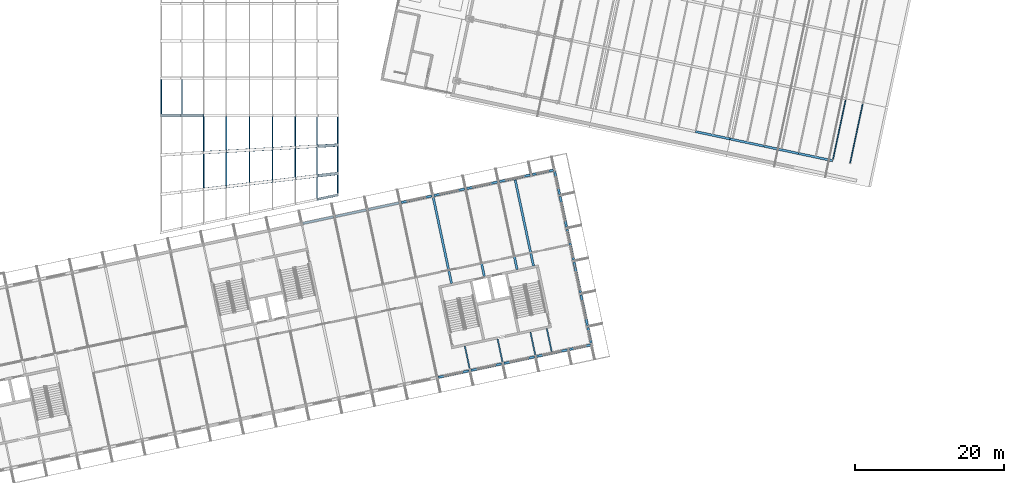
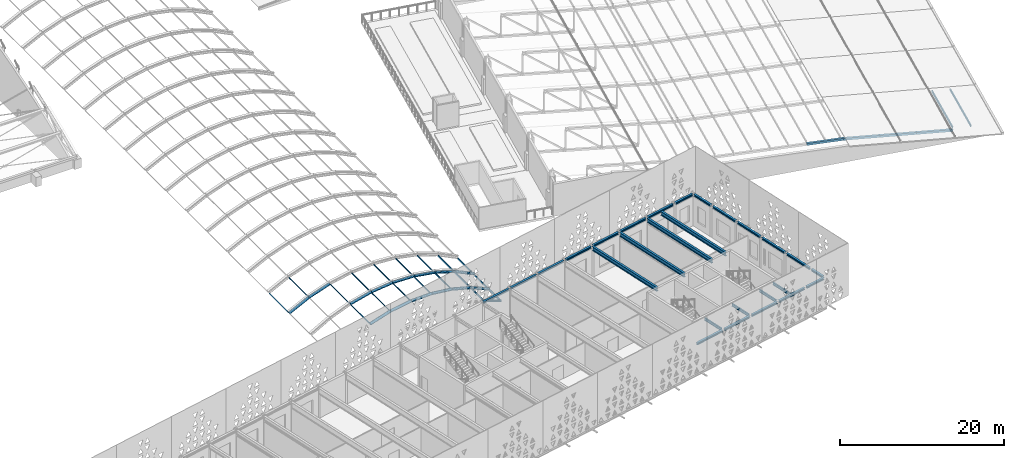
# One storey, part 42 of 196: 39 members, 27 beams.
"""IFC4 building model written with IfcOpenShell, lengths in metres."""

from ifc_helpers import new_model, si_unit, direction, frame, origin, origin_2d, place, context, subcontext, project, spatial, hollow_rectangle, hollow_circle, i_section, extrude, material, material_profile, profile_set, type_object, element, save


model = new_model("IFC4")

# Units and contexts
model_context = context("Model", 3, precision=1e-05, world=origin(), true_north=direction((0.0, 1.0)))
body_context = subcontext(model_context, "Body", "Model", "MODEL_VIEW")
ifc_project = project(units=[si_unit("LENGTHUNIT", "METRE"), si_unit("AREAUNIT", "SQUARE_METRE"), si_unit("VOLUMEUNIT", "CUBIC_METRE"), si_unit("PLANEANGLEUNIT", "RADIAN"), si_unit("MASSUNIT", "GRAM", prefix="KILO")], contexts=[model_context])

# Site, building, storey
site_placement = place(None, origin())
site = spatial("IfcSite", under=ifc_project, at=site_placement, CompositionType="ELEMENT")
building_placement = place(site_placement, origin())
building = spatial("IfcBuilding", under=site, at=building_placement, Name="Okhra Congress Centre", CompositionType="ELEMENT")
storey_placement = place(building_placement, frame((0.0, 0.0, 12.0)))
storey = spatial("IfcBuildingStorey", under=building, at=storey_placement, Name="L02", CompositionType="ELEMENT", Elevation=12.0)

# Beams
ifc_material = material(Name="Steel S355J2", Category="steel")
ifc_material_profile_1 = material_profile(ifc_material, i_section(OverallWidth=0.300048828125, OverallDepth=0.2900390625, WebThickness=0.008544921875, FlangeThickness=0.013916015625, FilletRadius=0.027099609375, at=origin_2d()), Name="HE 300 A")
ifc_profile_set_1 = profile_set([ifc_material_profile_1], Name="Steel S355J2")
beam_type_1 = type_object("IfcBeamType", Name="Edge beam HE 300 A", PredefinedType="BEAM", material=ifc_profile_set_1)
for number, where, z_axis, x_axis, name in (
    (1, (197.609375, 55.843994140625, 4.5048828125), (0.978143927149, 0.207928972925, 0.0), (-0.207928972925, 0.978143927149, 0.0), "Edge beam S32"),
    (2, (202.010986328125, 56.77978515625, 4.5048828125), (0.978155748334, 0.207873355681, 0.0), (-0.207873355681, 0.978155748334, 0.0), "Edge beam S33"),
    (3, (206.41259765625, 57.71533203125, 4.5048828125), (0.978143927149, 0.207928972925, 0.0), (-0.207928972925, 0.978143927149, 0.0), "Edge beam S34"),
):
    element("IfcBeam", number, at=place(storey_placement, frame(where, z_axis=z_axis, x_axis=x_axis)), inside=storey, type_object=beam_type_1, Name=name, PredefinedType="BEAM", context=body_context, shape_type="SweptSolid", body=[
        extrude(i_section(OverallWidth=0.300048828125, OverallDepth=0.2900390625, WebThickness=0.008544921875, FlangeThickness=0.013916015625, FilletRadius=0.027099609375, at=origin_2d()), origin(), (0.0, 0.0, 1.0), 4.199951171875),
    ])
beam_1_placement = place(storey_placement, frame((210.814208984375, 58.65087890625, 4.5048828125), z_axis=(0.978146440129, 0.207917150959, 0.0), x_axis=(-0.207917150959, 0.978146440129, 0.0)))
element("IfcBeam", 4, at=beam_1_placement, inside=storey, type_object=beam_type_1, Name="Edge beam S35", PredefinedType="BEAM", context=body_context, shape_type="SweptSolid", body=[
    extrude(i_section(OverallWidth=0.300048828125, OverallDepth=0.2900390625, WebThickness=0.008544921875, FlangeThickness=0.013916015625, FilletRadius=0.027099609375, at=origin_2d()), origin(), (0.0, 0.0, 1.0), 4.2001953125),
])
beam_2_placement = place(storey_placement, frame((215.216064453125, 59.58642578125, 4.5048828125), z_axis=(0.978134239598, 0.207974540092, 0.0), x_axis=(-0.207974540092, 0.978134239598, 0.0)))
element("IfcBeam", 5, at=beam_2_placement, inside=storey, type_object=beam_type_1, Name="Edge beam S36", PredefinedType="BEAM", context=body_context, shape_type="SweptSolid", body=[
    extrude(i_section(OverallWidth=0.300048828125, OverallDepth=0.2900390625, WebThickness=0.008544921875, FlangeThickness=0.013916015625, FilletRadius=0.027099609375, at=origin_2d()), origin(), (0.0, 0.0, 1.0), 2.874755859375),
])
for number, where, z_axis, x_axis, name in (
    (6, (179.41455078125, 76.512939453125, 4.5048828125), (0.978155748334, 0.207873355681, 0.0), (-0.207873355681, 0.978155748334, 0.0), "Edge beam N29"),
    (7, (183.816162109375, 77.448486328125, 4.5048828125), (0.978143927149, 0.207928972925, 0.0), (-0.207928972925, 0.978143927149, 0.0), "Edge beam N30"),
    (8, (188.2177734375, 78.384033203125, 4.5048828125), (0.978143927149, 0.207928972925, 0.0), (-0.207928972925, 0.978143927149, 0.0), "Edge beam N31"),
    (9, (192.619384765625, 79.319580078125, 4.5048828125), (0.978143927149, 0.207928972925, 0.0), (-0.207928972925, 0.978143927149, 0.0), "Edge beam N32"),
):
    element("IfcBeam", number, at=place(storey_placement, frame(where, z_axis=z_axis, x_axis=x_axis)), inside=storey, type_object=beam_type_1, Name=name, PredefinedType="BEAM", context=body_context, shape_type="SweptSolid", body=[
        extrude(i_section(OverallWidth=0.300048828125, OverallDepth=0.2900390625, WebThickness=0.008544921875, FlangeThickness=0.013916015625, FilletRadius=0.027099609375, at=origin_2d()), origin(), (0.0, 0.0, 1.0), 4.199951171875),
    ])
beam_3_placement = place(storey_placement, frame((197.02099609375, 80.25537109375, 4.5048828125), z_axis=(0.97815826, 0.207861536591, 0.0), x_axis=(-0.207861536591, 0.97815826, 0.0)))
element("IfcBeam", 10, at=beam_3_placement, inside=storey, type_object=beam_type_1, Name="Edge beam N33", PredefinedType="BEAM", context=body_context, shape_type="SweptSolid", body=[
    extrude(i_section(OverallWidth=0.300048828125, OverallDepth=0.2900390625, WebThickness=0.008544921875, FlangeThickness=0.013916015625, FilletRadius=0.027099609375, at=origin_2d()), origin(), (0.0, 0.0, 1.0), 4.2001953125),
])
for number, where, z_axis, x_axis, name in (
    (11, (201.4228515625, 81.19091796875, 4.5048828125), (0.978155748334, 0.207873355681, 0.0), (-0.207873355681, 0.978155748334, 0.0), "Edge beam N34"),
    (12, (205.824462890625, 82.12646484375, 4.5048828125), (0.978143927149, 0.207928972925, 0.0), (-0.207928972925, 0.978143927149, 0.0), "Edge beam N35"),
):
    element("IfcBeam", number, at=place(storey_placement, frame(where, z_axis=z_axis, x_axis=x_axis)), inside=storey, type_object=beam_type_1, Name=name, PredefinedType="BEAM", context=body_context, shape_type="SweptSolid", body=[
        extrude(i_section(OverallWidth=0.300048828125, OverallDepth=0.2900390625, WebThickness=0.008544921875, FlangeThickness=0.013916015625, FilletRadius=0.027099609375, at=origin_2d()), origin(), (0.0, 0.0, 1.0), 4.199951171875),
    ])
beam_4_placement = place(storey_placement, frame((210.22607421875, 83.06201171875, 4.5048828125), z_axis=(0.978137912316, 0.207957266018, 0.0), x_axis=(-0.207957266018, 0.978137912316, 0.0)))
element("IfcBeam", 13, at=beam_4_placement, inside=storey, type_object=beam_type_1, Name="Edge beam N36", PredefinedType="BEAM", context=body_context, shape_type="SweptSolid", body=[
    extrude(i_section(OverallWidth=0.300048828125, OverallDepth=0.2900390625, WebThickness=0.008544921875, FlangeThickness=0.013916015625, FilletRadius=0.027099609375, at=origin_2d()), origin(), (0.0, 0.0, 1.0), 2.875),
])
beam_5_placement = place(storey_placement, frame((218.129150390625, 60.4306640625, 4.5048828125), z_axis=(-0.207943944947, 0.978140744351, 0.0), x_axis=(-0.978140744351, -0.207943944947, 0.0)))
element("IfcBeam", 14, at=beam_5_placement, inside=storey, type_object=beam_type_1, Name="Edge beam E1", PredefinedType="BEAM", context=body_context, shape_type="SweptSolid", body=[
    extrude(i_section(OverallWidth=0.300048828125, OverallDepth=0.2900390625, WebThickness=0.008544921875, FlangeThickness=0.013916015625, FilletRadius=0.027099609375, at=origin_2d()), origin(), (0.0, 0.0, 1.0), 2.125),
])
for number, where, z_axis, x_axis, name in (
    (15, (217.625, 62.802734375, 4.5048828125), (-0.207928972925, 0.978143927149, 0.0), (-0.978143927149, -0.207928972925, 0.0), "Edge beam E2"),
    (16, (216.689208984375, 67.204345703125, 4.5048828125), (-0.207873355681, 0.978155748334, 0.0), (-0.978155748334, -0.207873355681, 0.0), "Edge beam E3"),
    (17, (215.753662109375, 71.60595703125, 4.5048828125), (-0.207873355681, 0.978155748334, 0.0), (-0.978155748334, -0.207873355681, 0.0), "Edge beam E4"),
):
    element("IfcBeam", number, at=place(storey_placement, frame(where, z_axis=z_axis, x_axis=x_axis)), inside=storey, type_object=beam_type_1, Name=name, PredefinedType="BEAM", context=body_context, shape_type="SweptSolid", body=[
        extrude(i_section(OverallWidth=0.300048828125, OverallDepth=0.2900390625, WebThickness=0.008544921875, FlangeThickness=0.013916015625, FilletRadius=0.027099609375, at=origin_2d()), origin(), (0.0, 0.0, 1.0), 4.199951171875),
    ])
beam_6_placement = place(storey_placement, frame((214.818115234375, 76.007568359375, 4.5048828125), z_axis=(-0.207917150959, 0.978146440129, 0.0), x_axis=(-0.978146440129, -0.207917150959, 0.0)))
element("IfcBeam", 18, at=beam_6_placement, inside=storey, type_object=beam_type_1, Name="Edge beam E5", PredefinedType="BEAM", context=body_context, shape_type="SweptSolid", body=[
    extrude(i_section(OverallWidth=0.300048828125, OverallDepth=0.2900390625, WebThickness=0.008544921875, FlangeThickness=0.013916015625, FilletRadius=0.027099609375, at=origin_2d()), origin(), (0.0, 0.0, 1.0), 4.2001953125),
])
beam_7_placement = place(storey_placement, frame((213.882568359375, 80.409423828125, 4.5048828125), z_axis=(-0.207933268122, 0.978143014087, 0.0), x_axis=(-0.978143014087, -0.207933268122, 0.0)))
element("IfcBeam", 19, at=beam_7_placement, inside=storey, type_object=beam_type_1, Name="Edge beam E6", PredefinedType="BEAM", context=body_context, shape_type="SweptSolid", body=[
    extrude(i_section(OverallWidth=0.300048828125, OverallDepth=0.2900390625, WebThickness=0.008544921875, FlangeThickness=0.013916015625, FilletRadius=0.027099609375, at=origin_2d()), origin(), (0.0, 0.0, 1.0), 3.135009765625),
])
ifc_material_profile_2 = material_profile(ifc_material, i_section(OverallWidth=0.300048828125, OverallDepth=0.590087890625, WebThickness=0.012939453125, FlangeThickness=0.02490234375, FilletRadius=0.027099609375, at=origin_2d()), Name="HE 600 A")
ifc_profile_set_2 = profile_set([ifc_material_profile_2], Name="Steel S355J2")
beam_type_2 = type_object("IfcBeamType", Name="Floor beam HE 600 A", PredefinedType="BEAM", material=ifc_profile_set_2)
beam_8_placement = place(storey_placement, frame((199.37451171875, 68.4619140625, 4.35498046875), z_axis=(-0.207910203977, 0.97814791677, 0.0), x_axis=(-0.97814791677, -0.207910203977, 0.0)))
element("IfcBeam", 20, at=beam_8_placement, inside=storey, type_object=beam_type_2, Name="Floor beam 32.2", PredefinedType="BEAM", context=body_context, shape_type="SweptSolid", body=[
    extrude(i_section(OverallWidth=0.300048828125, OverallDepth=0.590087890625, WebThickness=0.012939453125, FlangeThickness=0.02490234375, FilletRadius=0.027099609375, at=origin_2d()), origin(), (0.0, 0.0, 1.0), 11.804931640625),
])
for number, where, z_axis, x_axis, name in (
    (21, (203.776123046875, 69.3974609375, 4.35498046875), (-0.207905998145, 0.978148810731, 0.0), (-0.978148810731, -0.207905998145, 0.0), "Floor beam 33.2"),
    (22, (208.177734375, 70.3330078125, 4.35498046875), (-0.207905998145, 0.978148810731, 0.0), (-0.978148810731, -0.207905998145, 0.0), "Floor beam 34.2"),
    (23, (210.378662109375, 70.80078125, 4.35498046875), (-0.207905998145, 0.978148810731, 0.0), (-0.978148810731, -0.207905998145, 0.0), "Floor beam 35.2"),
):
    element("IfcBeam", number, at=place(storey_placement, frame(where, z_axis=z_axis, x_axis=x_axis)), inside=storey, type_object=beam_type_2, Name=name, PredefinedType="BEAM", context=body_context, shape_type="SweptSolid", body=[
        extrude(i_section(OverallWidth=0.300048828125, OverallDepth=0.590087890625, WebThickness=0.012939453125, FlangeThickness=0.02490234375, FilletRadius=0.027099609375, at=origin_2d()), origin(), (0.0, 0.0, 1.0), 11.80517578125),
    ])
ifc_material_profile_3 = material_profile(ifc_material, i_section(OverallWidth=0.179931640625, OverallDepth=0.39990234375, WebThickness=0.008544921875, FlangeThickness=0.013427734375, FilletRadius=0.02099609375, at=origin_2d()), Name="IPE 400")
ifc_profile_set_3 = profile_set([ifc_material_profile_3], Name="Steel S355J2")
beam_type_3 = type_object("IfcBeamType", Name="Floor beam stub IPE 400", PredefinedType="BEAM", material=ifc_profile_set_3)
beam_9_placement = place(storey_placement, frame((201.818603515625, 56.963623046875, 4.449951171875), z_axis=(-0.207917058571, 0.978146459767, 0.0), x_axis=(-0.978146459767, -0.207917058571, 0.0)))
element("IfcBeam", 24, at=beam_9_placement, inside=storey, type_object=beam_type_3, Name="Floor beam 32.1", PredefinedType="BEAM", context=body_context, shape_type="SweptSolid", body=[
    extrude(i_section(OverallWidth=0.179931640625, OverallDepth=0.39990234375, WebThickness=0.008544921875, FlangeThickness=0.013427734375, FilletRadius=0.02099609375, at=origin_2d()), origin(), (0.0, 0.0, 1.0), 3.155029296875),
])
for number, where, z_axis, x_axis, name in (
    (25, (206.22021484375, 57.8994140625, 4.449951171875), (-0.207932796537, 0.978143114337, 0.0), (-0.978143114337, -0.207932796537, 0.0), "Floor beam 33.1"),
    (26, (210.621826171875, 58.8349609375, 4.449951171875), (-0.207932796537, 0.978143114337, 0.0), (-0.978143114337, -0.207932796537, 0.0), "Floor beam 34.1"),
    (27, (212.82275390625, 59.302734375, 4.449951171875), (-0.207932796537, 0.978143114337, 0.0), (-0.978143114337, -0.207932796537, 0.0), "Floor beam 35.1"),
):
    element("IfcBeam", number, at=place(storey_placement, frame(where, z_axis=z_axis, x_axis=x_axis)), inside=storey, type_object=beam_type_3, Name=name, PredefinedType="BEAM", context=body_context, shape_type="SweptSolid", body=[
        extrude(i_section(OverallWidth=0.179931640625, OverallDepth=0.39990234375, WebThickness=0.008544921875, FlangeThickness=0.013427734375, FilletRadius=0.02099609375, at=origin_2d()), origin(), (0.0, 0.0, 1.0), 3.15478515625),
    ])

# Members
ifc_material_profile_4 = material_profile(ifc_material, hollow_rectangle(XDim=0.10009765625, YDim=0.14990234375, WallThickness=0.00634765625, at=origin_2d()), Name="RHS 150x100x6.3")
ifc_profile_set_4 = profile_set([ifc_material_profile_4], Name="Steel S355J2")
member_type_1 = type_object("IfcMemberType", Name="Steel purlin RHS 150x100x6.3", PredefinedType="PURLIN", material=ifc_profile_set_4)
member_1_placement = place(storey_placement, frame((166.109619140625, 81.29296875, 3.18505859375), z_axis=(0.0, 1.0, 0.0), x_axis=(-0.965379940391, 0.0, -0.260847792191)))
element("IfcMember", 28, at=member_1_placement, inside=storey, type_object=member_type_1, Name="Vault purlin 2.4", PredefinedType="PURLIN", context=body_context, shape_type="SweptSolid", body=[
    extrude(hollow_rectangle(XDim=0.10009765625, YDim=0.14990234375, WallThickness=0.00634765625, at=origin_2d()), origin(), (0.0, 0.0, 1.0), 4.515869140625),
])
member_2_placement = place(storey_placement, frame((169.15283203125, 81.6533203125, 3.79541015625), z_axis=(0.0, 1.0, 0.0), x_axis=(-0.991307202734, 0.0, -0.131567586459)))
element("IfcMember", 29, at=member_2_placement, inside=storey, type_object=member_type_1, Name="Vault purlin 2.5", PredefinedType="PURLIN", context=body_context, shape_type="SweptSolid", body=[
    extrude(hollow_rectangle(XDim=0.10009765625, YDim=0.14990234375, WallThickness=0.00634765625, at=origin_2d()), origin(), (0.0, 0.0, 1.0), 4.326904296875),
])
member_3_placement = place(storey_placement, frame((172.25, 82.020263671875, 4.0), z_axis=(0.0, 1.0, 0.0), x_axis=(-1.0, 0.0, 0.0)))
element("IfcMember", 30, at=member_3_placement, inside=storey, type_object=member_type_1, Name="Vault purlin 2.6", PredefinedType="PURLIN", context=body_context, shape_type="SweptSolid", body=[
    extrude(hollow_rectangle(XDim=0.10009765625, YDim=0.14990234375, WallThickness=0.00634765625, at=origin_2d()), origin(), (0.0, 0.0, 1.0), 4.134033203125),
])
member_4_placement = place(storey_placement, frame((175.34716796875, 82.38720703125, 3.79541015625), z_axis=(0.0, 1.0, 0.0), x_axis=(-0.991307202734, 0.0, 0.131567586459)))
element("IfcMember", 31, at=member_4_placement, inside=storey, type_object=member_type_1, Name="Vault purlin 2.7", PredefinedType="PURLIN", context=body_context, shape_type="SweptSolid", body=[
    extrude(hollow_rectangle(XDim=0.10009765625, YDim=0.14990234375, WallThickness=0.00634765625, at=origin_2d()), origin(), (0.0, 0.0, 1.0), 3.94140625),
])
member_5_placement = place(storey_placement, frame((178.390380859375, 82.747802734375, 3.18505859375), z_axis=(0.0, 1.0, 0.0), x_axis=(-0.965379940391, 0.0, 0.260847792191)))
element("IfcMember", 32, at=member_5_placement, inside=storey, type_object=member_type_1, Name="Vault purlin 2.8", PredefinedType="PURLIN", context=body_context, shape_type="SweptSolid", body=[
    extrude(hollow_rectangle(XDim=0.10009765625, YDim=0.14990234375, WallThickness=0.00634765625, at=origin_2d()), origin(), (0.0, 0.0, 1.0), 3.751953125),
])
member_6_placement = place(storey_placement, frame((166.109619140625, 86.216064453125, 3.18505859375), z_axis=(0.0, 1.0, 0.0), x_axis=(-0.965379940391, 0.0, -0.260847792191)))
element("IfcMember", 33, at=member_6_placement, inside=storey, type_object=member_type_1, Name="Vault purlin 3.4", PredefinedType="PURLIN", context=body_context, shape_type="SweptSolid", body=[
    extrude(hollow_rectangle(XDim=0.10009765625, YDim=0.14990234375, WallThickness=0.00634765625, at=origin_2d()), origin(), (0.0, 0.0, 1.0), 4.580810546875),
])
member_7_placement = place(storey_placement, frame((169.15283203125, 86.38720703125, 3.79541015625), z_axis=(0.0, 1.0, 0.0), x_axis=(-0.991307202734, 0.0, -0.131567586459)))
element("IfcMember", 34, at=member_7_placement, inside=storey, type_object=member_type_1, Name="Vault purlin 3.5", PredefinedType="PURLIN", context=body_context, shape_type="SweptSolid", body=[
    extrude(hollow_rectangle(XDim=0.10009765625, YDim=0.14990234375, WallThickness=0.00634765625, at=origin_2d()), origin(), (0.0, 0.0, 1.0), 4.40966796875),
])
member_8_placement = place(storey_placement, frame((172.25, 86.561279296875, 4.0), z_axis=(0.0, 1.0, 0.0), x_axis=(-1.0, 0.0, 0.0)))
element("IfcMember", 35, at=member_8_placement, inside=storey, type_object=member_type_1, Name="Vault purlin 3.6", PredefinedType="PURLIN", context=body_context, shape_type="SweptSolid", body=[
    extrude(hollow_rectangle(XDim=0.10009765625, YDim=0.14990234375, WallThickness=0.00634765625, at=origin_2d()), origin(), (0.0, 0.0, 1.0), 4.235595703125),
])
member_9_placement = place(storey_placement, frame((175.34716796875, 86.735595703125, 3.79541015625), z_axis=(0.0, 1.0, 0.0), x_axis=(-0.991307202734, 0.0, 0.131567586459)))
element("IfcMember", 36, at=member_9_placement, inside=storey, type_object=member_type_1, Name="Vault purlin 3.7", PredefinedType="PURLIN", context=body_context, shape_type="SweptSolid", body=[
    extrude(hollow_rectangle(XDim=0.10009765625, YDim=0.14990234375, WallThickness=0.00634765625, at=origin_2d()), origin(), (0.0, 0.0, 1.0), 4.061279296875),
])
member_10_placement = place(storey_placement, frame((178.390380859375, 86.90673828125, 3.18505859375), z_axis=(0.0, 1.0, 0.0), x_axis=(-0.965379940391, 0.0, 0.260847792191)))
element("IfcMember", 37, at=member_10_placement, inside=storey, type_object=member_type_1, Name="Vault purlin 3.8", PredefinedType="PURLIN", context=body_context, shape_type="SweptSolid", body=[
    extrude(hollow_rectangle(XDim=0.10009765625, YDim=0.14990234375, WallThickness=0.00634765625, at=origin_2d()), origin(), (0.0, 0.0, 1.0), 3.89013671875),
])
ifc_material_profile_5 = material_profile(ifc_material, hollow_rectangle(XDim=0.10009765625, YDim=0.199951171875, WallThickness=0.008056640625, at=origin_2d()), Name="RHS 200x100x8")
ifc_profile_set_5 = profile_set([ifc_material_profile_5], Name="Steel S355J2")
member_type_2 = type_object("IfcMemberType", Name="Steel purlin RHS 200x100x8", PredefinedType="PURLIN", material=ifc_profile_set_5)
member_11_placement = place(storey_placement, frame((181.3173828125, 79.9013671875, 2.156494140625), z_axis=(0.0, 1.0, 0.0), x_axis=(-0.922668973833, 0.0, 0.38559300399)))
element("IfcMember", 38, at=member_11_placement, inside=storey, type_object=member_type_2, Name="Vault purlin 1.9", PredefinedType="PURLIN", context=body_context, shape_type="SweptSolid", body=[
    extrude(hollow_rectangle(XDim=0.10009765625, YDim=0.199951171875, WallThickness=0.008056640625, at=origin_2d()), origin(), (0.0, 0.0, 1.0), 2.783935546875),
])
member_12_placement = place(storey_placement, frame((184.093017578125, 80.491455078125, 0.77490234375), z_axis=(0.0, 1.0, 0.0), x_axis=(-0.86391685861, 0.0, 0.503634452167)))
element("IfcMember", 39, at=member_12_placement, inside=storey, type_object=member_type_2, Name="Vault purlin 1.10", PredefinedType="PURLIN", context=body_context, shape_type="SweptSolid", body=[
    extrude(hollow_rectangle(XDim=0.10009765625, YDim=0.199951171875, WallThickness=0.008056640625, at=origin_2d()), origin(), (0.0, 0.0, 1.0), 2.522705078125),
])
member_13_placement = place(storey_placement, frame((181.3173828125, 83.094482421875, 2.156494140625), z_axis=(0.0, 1.0, 0.0), x_axis=(-0.922668973833, 0.0, 0.38559300399)))
element("IfcMember", 40, at=member_13_placement, inside=storey, type_object=member_type_2, Name="Vault purlin 2.9", PredefinedType="PURLIN", context=body_context, shape_type="SweptSolid", body=[
    extrude(hollow_rectangle(XDim=0.10009765625, YDim=0.199951171875, WallThickness=0.008056640625, at=origin_2d()), origin(), (0.0, 0.0, 1.0), 3.56982421875),
])
member_14_placement = place(storey_placement, frame((184.093017578125, 83.42333984375, 0.77490234375), z_axis=(0.0, 1.0, 0.0), x_axis=(-0.86391685861, 0.0, 0.503634452167)))
element("IfcMember", 41, at=member_14_placement, inside=storey, type_object=member_type_2, Name="Vault purlin 2.10", PredefinedType="PURLIN", context=body_context, shape_type="SweptSolid", body=[
    extrude(hollow_rectangle(XDim=0.10009765625, YDim=0.199951171875, WallThickness=0.008056640625, at=origin_2d()), origin(), (0.0, 0.0, 1.0), 3.397216796875),
])
member_15_placement = place(storey_placement, frame((181.3173828125, 87.0712890625, 2.156494140625), z_axis=(0.0, 1.0, 0.0), x_axis=(-0.922668973833, 0.0, 0.38559300399)))
element("IfcMember", 42, at=member_15_placement, inside=storey, type_object=member_type_2, Name="Vault purlin 3.9", PredefinedType="PURLIN", context=body_context, shape_type="SweptSolid", body=[
    extrude(hollow_rectangle(XDim=0.10009765625, YDim=0.199951171875, WallThickness=0.008056640625, at=origin_2d()), origin(), (0.0, 0.0, 1.0), 3.7255859375),
])
member_16_placement = place(storey_placement, frame((184.093017578125, 87.2275390625, 0.77490234375), z_axis=(0.0, 1.0, 0.0), x_axis=(-0.86391685861, 0.0, 0.503634452167)))
element("IfcMember", 43, at=member_16_placement, inside=storey, type_object=member_type_2, Name="Vault purlin 3.10", PredefinedType="PURLIN", context=body_context, shape_type="SweptSolid", body=[
    extrude(hollow_rectangle(XDim=0.10009765625, YDim=0.199951171875, WallThickness=0.008056640625, at=origin_2d()), origin(), (0.0, 0.0, 1.0), 3.5693359375),
])
for number, where, z_axis, x_axis, name in (
    (44, (160.406982421875, 91.203125, 0.77490234375), (0.0, 1.0, 0.0), (-0.86391685861, 0.0, -0.503634452167), "Vault purlin 4.2"),
    (45, (163.1826171875, 91.203125, 2.156494140625), (0.0, 1.0, 0.0), (-0.922668973833, 0.0, -0.38559300399), "Vault purlin 4.3"),
):
    element("IfcMember", number, at=place(storey_placement, frame(where, z_axis=z_axis, x_axis=x_axis)), inside=storey, type_object=member_type_2, Name=name, PredefinedType="PURLIN", context=body_context, shape_type="SweptSolid", body=[
        extrude(hollow_rectangle(XDim=0.10009765625, YDim=0.199951171875, WallThickness=0.008056640625, at=origin_2d()), origin(), (0.0, 0.0, 1.0), 4.59375),
    ])
ifc_material_profile_6 = material_profile(ifc_material, hollow_rectangle(XDim=0.14990234375, YDim=0.25, WallThickness=0.008056640625, at=origin_2d()), Name="RHS 250x150x8")
ifc_profile_set_6 = profile_set([ifc_material_profile_6], Name="Steel S355J2")
member_type_3 = type_object("IfcMemberType", Name="Steel roof purlin RHS 250x150x8", PredefinedType="PURLIN", material=ifc_profile_set_6)
for number, where, z_axis, x_axis, name in (
    (46, (250.583984375, 85.06494140625, 0.5), (0.207908251916, 0.978148331689, 0.0), (-0.970857362352, 0.206358535333, 0.121869343405), "Roof purlin 1.25"),
    (47, (252.882568359375, 84.576416015625, 0.21142578125), (0.207908251916, 0.978148331689, 0.0), (-0.970857362352, 0.206358535333, 0.121869343405), "Roof purlin 1.26"),
):
    element("IfcMember", number, at=place(storey_placement, frame(where, z_axis=z_axis, x_axis=x_axis)), inside=storey, type_object=member_type_3, Name=name, PredefinedType="PURLIN", context=body_context, shape_type="SweptSolid", body=[
        extrude(hollow_rectangle(XDim=0.14990234375, YDim=0.25, WallThickness=0.008056640625, at=origin_2d()), origin(), (0.0, 0.0, 1.0), 8.199951171875),
    ])
ifc_material_profile_7 = material_profile(ifc_material, hollow_rectangle(XDim=0.300048828125, YDim=0.300048828125, WallThickness=0.01611328125, at=origin_2d()), Name="RHS 300x300x16")
ifc_profile_set_7 = profile_set([ifc_material_profile_7], Name="Steel S355J2")
member_type_4 = type_object("IfcMemberType", Name="Steel truss chord RHS 300x300x16", PredefinedType="CHORD", material=ifc_profile_set_7)
member_17_placement = place(storey_placement, frame((232.130859375, 88.833984375, 2.20458984375), z_axis=(0.976800887128, -0.207654484927, -0.052341587632), x_axis=(0.207939520185, 0.978141685005, 0.0)))
element("IfcMember", 48, at=member_17_placement, inside=storey, type_object=member_type_4, Name="Hall truss 1 top chord 8", PredefinedType="CHORD", context=body_context, shape_type="SweptSolid", body=[
    extrude(hollow_rectangle(XDim=0.300048828125, YDim=0.300048828125, WallThickness=0.01611328125, at=origin_2d()), origin(), (0.0, 0.0, 1.0), 4.706298828125),
])
member_18_placement = place(storey_placement, frame((236.72802734375, 87.856689453125, 1.958251953125), z_axis=(0.97086832379, -0.206330786034, -0.121828997351), x_axis=(0.207879256857, 0.978154494223, 0.0)))
element("IfcMember", 49, at=member_18_placement, inside=storey, type_object=member_type_4, Name="Hall truss 1 top chord 9", PredefinedType="CHORD", context=body_context, shape_type="SweptSolid", body=[
    extrude(hollow_rectangle(XDim=0.300048828125, YDim=0.300048828125, WallThickness=0.01611328125, at=origin_2d()), origin(), (0.0, 0.0, 1.0), 4.7353515625),
])
member_19_placement = place(storey_placement, frame((241.325439453125, 86.879638671875, 1.38134765625), z_axis=(0.970848933654, -0.206389181169, -0.121884592627), x_axis=(0.207939520185, 0.978141685005, 0.0)))
element("IfcMember", 50, at=member_19_placement, inside=storey, type_object=member_type_4, Name="Hall truss 1 top chord 10", PredefinedType="CHORD", context=body_context, shape_type="SweptSolid", body=[
    extrude(hollow_rectangle(XDim=0.300048828125, YDim=0.300048828125, WallThickness=0.01611328125, at=origin_2d()), origin(), (0.0, 0.0, 1.0), 4.735107421875),
])
member_20_placement = place(storey_placement, frame((245.922607421875, 85.90234375, 0.80419921875), z_axis=(0.970862224409, -0.206329489782, -0.121879788567), x_axis=(0.207879256857, 0.978154494223, 0.0)))
element("IfcMember", 51, at=member_20_placement, inside=storey, type_object=member_type_4, Name="Hall truss 1 top chord 11", PredefinedType="CHORD", context=body_context, shape_type="SweptSolid", body=[
    extrude(hollow_rectangle(XDim=0.300048828125, YDim=0.300048828125, WallThickness=0.01611328125, at=origin_2d()), origin(), (0.0, 0.0, 1.0), 4.7353515625),
])
ifc_material_profile_8 = material_profile(ifc_material, hollow_circle(Radius=0.203125, WallThickness=0.01611328125, at=origin_2d()), Name="CHS 406.4x16")
ifc_profile_set_8 = profile_set([ifc_material_profile_8], Name="Steel S355J2")
member_type_5 = type_object("IfcMemberType", Name="Tubular steel arch rib CHS 406x16", PredefinedType="USERDEFINED", material=ifc_profile_set_8)
member_21_placement = place(storey_placement, frame((166.122802734375, 81.08984375, 3.187744140625), z_axis=(0.973930855606, 0.115386806879, 0.195306357546), x_axis=(-0.117652525864, 0.993054823843, 0.0)))
element("IfcMember", 52, at=member_21_placement, inside=storey, type_object=member_type_5, Name="Arch rib 2.5", ObjectType="Arch rib", PredefinedType="USERDEFINED", context=body_context, shape_type="SweptSolid", body=[
    extrude(hollow_circle(Radius=0.203125, WallThickness=0.01611328125, at=origin_2d()), origin(), (0.0, 0.0, 1.0), 3.09765625),
])
for number, where, z_axis, x_axis, name in (
    (53, (169.166259765625, 81.450439453125, 3.796142578125), (0.990923214665, 0.117404229473, 0.065478466236), (-0.117656722855, 0.993054326594, 0.0), "Arch rib 2.6"),
    (54, (172.263427734375, 81.8173828125, 3.9990234375), (0.990932378589, 0.117326519698, -0.065479071772), (-0.117578850637, 0.993063549771, 0.0), "Arch rib 2.7"),
):
    element("IfcMember", number, at=place(storey_placement, frame(where, z_axis=z_axis, x_axis=x_axis)), inside=storey, type_object=member_type_5, Name=name, ObjectType="Arch rib", PredefinedType="USERDEFINED", context=body_context, shape_type="SweptSolid", body=[
        extrude(hollow_circle(Radius=0.203125, WallThickness=0.01611328125, at=origin_2d()), origin(), (0.0, 0.0, 1.0), 3.098388671875),
    ])
member_22_placement = place(storey_placement, frame((175.3603515625, 82.18408203125, 3.792724609375), z_axis=(0.973930855606, 0.115386806879, -0.195306357546), x_axis=(-0.117652525864, 0.993054823843, 0.0)))
element("IfcMember", 55, at=member_22_placement, inside=storey, type_object=member_type_5, Name="Arch rib 2.8", ObjectType="Arch rib", PredefinedType="USERDEFINED", context=body_context, shape_type="SweptSolid", body=[
    extrude(hollow_circle(Radius=0.203125, WallThickness=0.01611328125, at=origin_2d()), origin(), (0.0, 0.0, 1.0), 3.09765625),
])
member_23_placement = place(storey_placement, frame((178.403076171875, 82.544677734375, 3.1806640625), z_axis=(0.940215282195, 0.111337133383, -0.32186839835), x_axis=(-0.11759502086, 0.993061635081, 0.0)))
element("IfcMember", 56, at=member_23_placement, inside=storey, type_object=member_type_5, Name="Arch rib 2.9", ObjectType="Arch rib", PredefinedType="USERDEFINED", context=body_context, shape_type="SweptSolid", body=[
    extrude(hollow_circle(Radius=0.203125, WallThickness=0.01611328125, at=origin_2d()), origin(), (0.0, 0.0, 1.0), 3.09619140625),
])
member_24_placement = place(storey_placement, frame((181.3388671875, 82.892333984375, 2.173583984375), z_axis=(0.890239887001, 0.105490625624, -0.443107968217), x_axis=(-0.117673576594, 0.993052329624, 0.0)))
element("IfcMember", 57, at=member_24_placement, inside=storey, type_object=member_type_5, Name="Arch rib 2.10", ObjectType="Arch rib", PredefinedType="USERDEFINED", context=body_context, shape_type="SweptSolid", body=[
    extrude(hollow_circle(Radius=0.203125, WallThickness=0.01611328125, at=origin_2d()), origin(), (0.0, 0.0, 1.0), 3.09423828125),
])
member_25_placement = place(storey_placement, frame((166.122802734375, 86.01318359375, 3.187744140625), z_axis=(0.978992394742, 0.055061885113, 0.196321368793), x_axis=(-0.056154677222, 0.998422081199, 0.0)))
element("IfcMember", 58, at=member_25_placement, inside=storey, type_object=member_type_5, Name="Arch rib 3.5", ObjectType="Arch rib", PredefinedType="USERDEFINED", context=body_context, shape_type="SweptSolid", body=[
    extrude(hollow_circle(Radius=0.203125, WallThickness=0.01611328125, at=origin_2d()), origin(), (0.0, 0.0, 1.0), 3.08154296875),
])
for number, where, z_axis, x_axis, name in (
    (59, (169.166259765625, 86.184326171875, 3.796142578125), (0.996253279307, 0.056086778129, 0.06583066755), (-0.056208705552, 0.998419040994, 0.0), "Arch rib 3.6"),
    (60, (172.263427734375, 86.358642578125, 3.9990234375), (0.99625770268, 0.05600780819, -0.065830959838), (-0.056129565024, 0.998423493278, 0.0), "Arch rib 3.7"),
):
    element("IfcMember", number, at=place(storey_placement, frame(where, z_axis=z_axis, x_axis=x_axis)), inside=storey, type_object=member_type_5, Name=name, ObjectType="Arch rib", PredefinedType="USERDEFINED", context=body_context, shape_type="SweptSolid", body=[
        extrude(hollow_circle(Radius=0.203125, WallThickness=0.01611328125, at=origin_2d()), origin(), (0.0, 0.0, 1.0), 3.081787109375),
    ])
member_26_placement = place(storey_placement, frame((175.3603515625, 86.53271484375, 3.792724609375), z_axis=(0.978992394742, 0.055061885113, -0.196321368793), x_axis=(-0.056154677222, 0.998422081199, 0.0)))
element("IfcMember", 61, at=member_26_placement, inside=storey, type_object=member_type_5, Name="Arch rib 3.8", ObjectType="Arch rib", PredefinedType="USERDEFINED", context=body_context, shape_type="SweptSolid", body=[
    extrude(hollow_circle(Radius=0.203125, WallThickness=0.01611328125, at=origin_2d()), origin(), (0.0, 0.0, 1.0), 3.08154296875),
])
member_27_placement = place(storey_placement, frame((178.403076171875, 86.703857421875, 3.1806640625), z_axis=(0.944759457915, 0.053164508241, -0.323424027777), x_axis=(-0.056184175022, 0.998420421705, 0.0)))
element("IfcMember", 62, at=member_27_placement, inside=storey, type_object=member_type_5, Name="Arch rib 3.9", ObjectType="Arch rib", PredefinedType="USERDEFINED", context=body_context, shape_type="SweptSolid", body=[
    extrude(hollow_circle(Radius=0.203125, WallThickness=0.01611328125, at=origin_2d()), origin(), (0.0, 0.0, 1.0), 3.081298828125),
])
member_28_placement = place(storey_placement, frame((181.339111328125, 86.869140625, 2.173583984375), z_axis=(0.894088592612, 0.050243943247, -0.44506306826), x_axis=(-0.056107187747, 0.998424751037, 0.0)))
element("IfcMember", 63, at=member_28_placement, inside=storey, type_object=member_type_5, Name="Arch rib 3.10", ObjectType="Arch rib", PredefinedType="USERDEFINED", context=body_context, shape_type="SweptSolid", body=[
    extrude(hollow_circle(Radius=0.203125, WallThickness=0.01611328125, at=origin_2d()), origin(), (0.0, 0.0, 1.0), 3.08056640625),
])
for number, where, z_axis, x_axis, name in (
    (64, (160.406494140625, 91.0, 0.802490234375), (0.895219276519, 0.0, 0.44562590471), (0.0, 1.0, 0.0), "Arch rib 4.3"),
    (65, (163.185791015625, 91.0, 2.18408203125), (0.946089135599, 0.0, 0.323906386942), (0.0, 1.0, 0.0), "Arch rib 4.4"),
):
    element("IfcMember", number, at=place(storey_placement, frame(where, z_axis=z_axis, x_axis=x_axis)), inside=storey, type_object=member_type_5, Name=name, ObjectType="Arch rib", PredefinedType="USERDEFINED", context=body_context, shape_type="SweptSolid", body=[
        extrude(hollow_circle(Radius=0.203125, WallThickness=0.01611328125, at=origin_2d()), origin(), (0.0, 0.0, 1.0), 3.07666015625),
    ])
ifc_material_profile_9 = material_profile(ifc_material, hollow_circle(Radius=0.161865234375, WallThickness=0.012451171875, at=origin_2d()), Name="CHS 323.9x12.5")
ifc_profile_set_9 = profile_set([ifc_material_profile_9], Name="Steel S355J2")
member_type_6 = type_object("IfcMemberType", Name="Tubular steel gable arch CHS 324x12.5", PredefinedType="USERDEFINED", material=ifc_profile_set_9)
member_29_placement = place(storey_placement, frame((181.33642578125, 79.739990234375, 2.1748046875), z_axis=(0.87946451164, 0.186956229783, -0.437709425202), x_axis=(-0.207933268122, 0.978143014087, 0.0)))
element("IfcMember", 66, at=member_29_placement, inside=storey, type_object=member_type_6, Name="Arch rib 1.10", ObjectType="Arch rib", PredefinedType="USERDEFINED", context=body_context, shape_type="SweptSolid", body=[
    extrude(hollow_circle(Radius=0.161865234375, WallThickness=0.012451171875, at=origin_2d()), origin(), (0.0, 0.0, 1.0), 3.137939453125),
])

save(model, "model.ifc")
